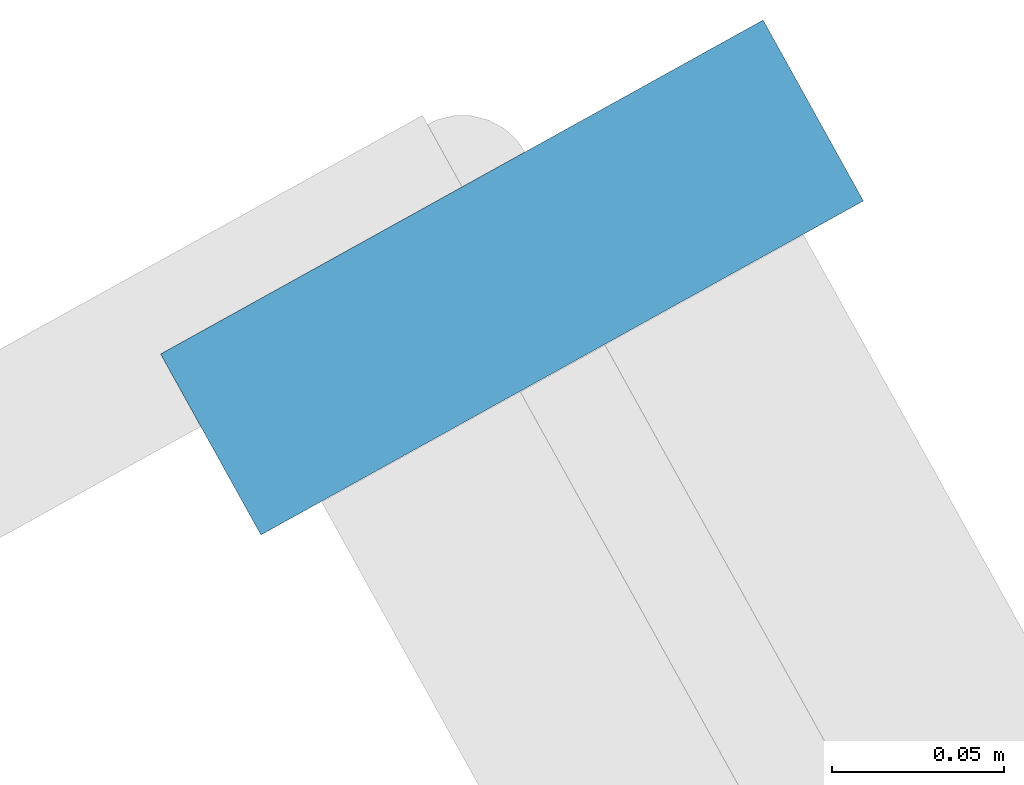
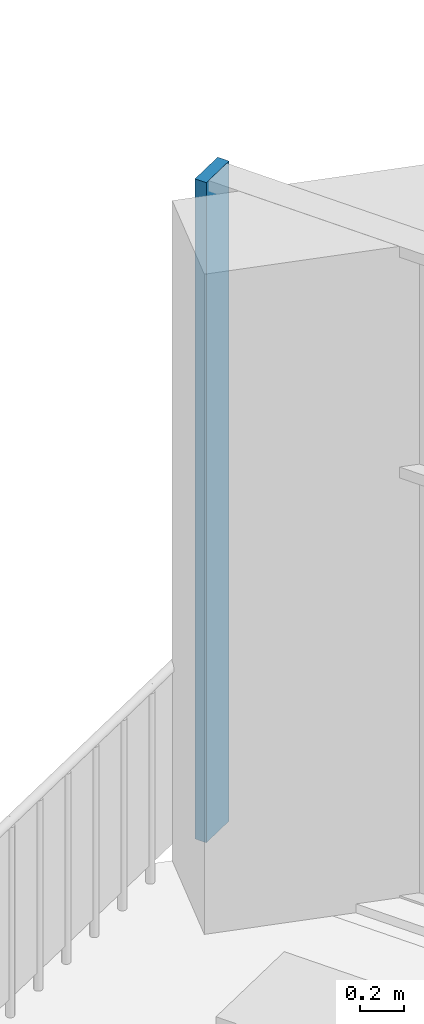
# One storey, part 4 of 15: 1 member, 1 element without a shape of its own.
"""IFC4 building model written with IfcOpenShell, lengths in metres."""

from ifc_helpers import new_model, si_unit, direction, frame, origin, origin_2d, place, context, subcontext, project, spatial, rectangle, extrude, material, material_profile, profile_set, type_object, element, aggregate, save


model = new_model("IFC4")

# Units and contexts
model_context = context("Model", 3, precision=1e-05, world=origin(), true_north=direction((0.0, 1.0)))
body_context = subcontext(model_context, "Body", "Model", "MODEL_VIEW")
ifc_project = project(units=[si_unit("LENGTHUNIT", "METRE"), si_unit("AREAUNIT", "SQUARE_METRE"), si_unit("VOLUMEUNIT", "CUBIC_METRE"), si_unit("PLANEANGLEUNIT", "RADIAN"), si_unit("MASSUNIT", "GRAM", prefix="KILO")], contexts=[model_context])

# Site, building, storey
site_placement = place(None, origin())
site = spatial("IfcSite", under=ifc_project, at=site_placement, CompositionType="ELEMENT")
building_placement = place(site_placement, origin())
building = spatial("IfcBuilding", under=site, at=building_placement, Name="Dilmun Exchange Tower", CompositionType="ELEMENT")
storey_placement = place(building_placement, frame((0.0, 0.0, 328.5)))
storey = spatial("IfcBuildingStorey", under=building, at=storey_placement, Name="L78", CompositionType="ELEMENT", Elevation=328.5)

# Curtain wall, member
ifc_material_1 = material(Name="Anodised aluminium and clear glass", Category="aluminium")
curtain_wall_type = type_object("IfcCurtainWallType", Name="Garden corner glazing", PredefinedType="NOTDEFINED", material=ifc_material_1)
curtain_wall_placement = place(storey_placement, origin())
curtain_wall = element("IfcCurtainWall", 1, at=curtain_wall_placement, inside=storey, type_object=curtain_wall_type, Name="Garden corner glazing run GC1.1", PredefinedType="NOTDEFINED")
ifc_material_2 = material(Name="Anodised aluminium", Category="aluminium")
ifc_material_profile = material_profile(ifc_material_2, rectangle(XDim=0.199951171875, YDim=0.06005859375, at=origin_2d()), Name="AL 60x200")
ifc_profile_set = profile_set([ifc_material_profile], Name="Anodised aluminium")
member_type = type_object("IfcMemberType", Name="Garden corner glazing mullion 60 x 200", PredefinedType="MULLION", material=ifc_profile_set)
member_placement = place(storey_placement, frame((-12.12109375, 34.88330078125, 0.0), z_axis=(0.0, 0.0, 1.0), x_axis=(0.87462355202, 0.484802683833, 0.0)))
member = element("IfcMember", 2, at=member_placement, type_object=member_type, Name="GC1.1 mullion 1", PredefinedType="MULLION", context=body_context, shape_type="SweptSolid", body=[
    extrude(rectangle(XDim=0.199951171875, YDim=0.06005859375, at=origin_2d()), origin(), (0.0, 0.0, 1.0), 3.64990234375),
])
aggregate(curtain_wall, [member])

save(model, "model.ifc")
